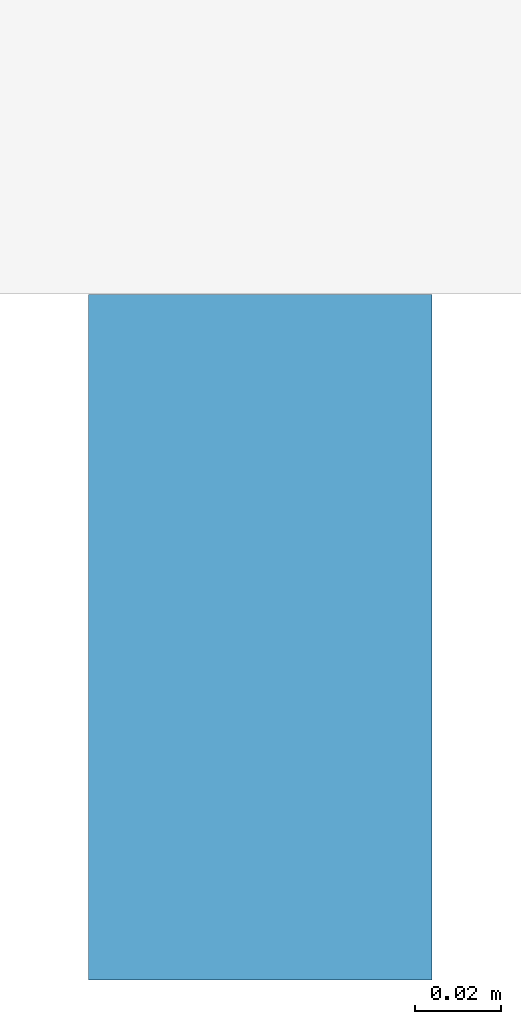
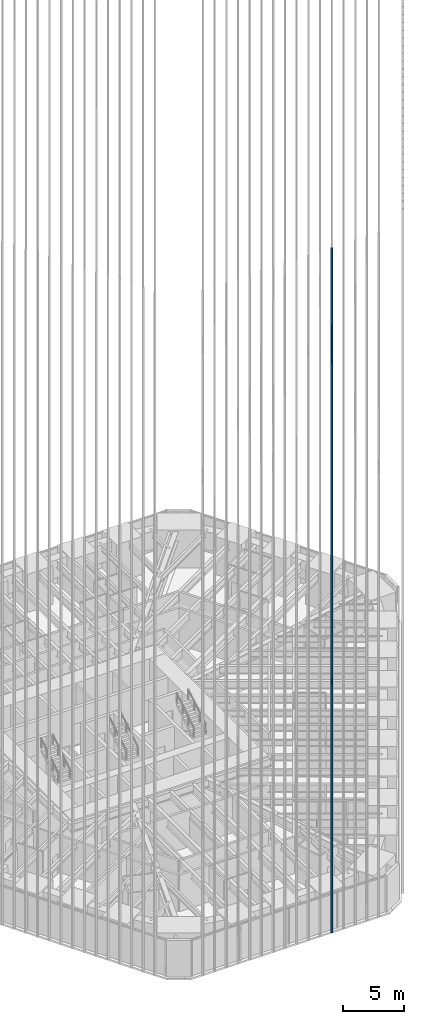
# One storey, part 71 of 256: 1 member, 1 element without a shape of its own.
"""IFC4 building model written with IfcOpenShell, lengths in metres."""

from ifc_helpers import new_model, si_unit, direction, frame, origin, origin_2d, place, context, subcontext, project, spatial, rectangle, extrude, material, material_profile, profile_set, type_object, element, aggregate, save


model = new_model("IFC4")

# Units and contexts
model_context = context("Model", 3, precision=1e-05, world=origin(), true_north=direction((0.0, 1.0)))
body_context = subcontext(model_context, "Body", "Model", "MODEL_VIEW")
ifc_project = project(units=[si_unit("LENGTHUNIT", "METRE"), si_unit("AREAUNIT", "SQUARE_METRE"), si_unit("VOLUMEUNIT", "CUBIC_METRE"), si_unit("PLANEANGLEUNIT", "RADIAN"), si_unit("MASSUNIT", "GRAM", prefix="KILO")], contexts=[model_context])

# Site, building, storey
site_placement = place(None, origin())
site = spatial("IfcSite", under=ifc_project, at=site_placement, CompositionType="ELEMENT")
building_placement = place(site_placement, origin())
building = spatial("IfcBuilding", under=site, at=building_placement, Name="Sandreach Pilgrim Tower", CompositionType="ELEMENT")
storey_placement = place(building_placement, frame((0.0, 0.0, 23.0)))
storey = spatial("IfcBuildingStorey", under=building, at=storey_placement, Name="L04", CompositionType="ELEMENT", Elevation=23.0)

# Curtain wall, member
ifc_material_1 = material(Name="Aluminium framed curtain wall", Category="aluminium")
curtain_wall_type = type_object("IfcCurtainWallType", Name="Hostel tower curtain wall", PredefinedType="NOTDEFINED", material=ifc_material_1)
curtain_wall_placement = place(storey_placement, origin())
curtain_wall = element("IfcCurtainWall", 1, at=curtain_wall_placement, inside=storey, type_object=curtain_wall_type, Name="CW-1 L04 S", PredefinedType="NOTDEFINED")
ifc_material_2 = material(Name="Extruded terracotta on aluminium core", Category="masonry")
ifc_material_profile = material_profile(ifc_material_2, rectangle(XDim=0.080078125, YDim=0.159912109375, at=origin_2d()), Name="TBS 80X160")
ifc_profile_set = profile_set([ifc_material_profile], Name="Extruded terracotta on aluminium core")
member_type = type_object("IfcMemberType", Name="Terracotta baguette south", PredefinedType="USERDEFINED", material=ifc_profile_set)
member_placement = place(storey_placement, frame((3.8671875, -30.390869140625, 0.0), z_axis=(0.0, 0.0, 1.0), x_axis=(-1.0, 0.0, 0.0)))
member = element("IfcMember", 2, at=member_placement, type_object=member_type, Name="Baguette Z1 S05", ObjectType="BAGUETTE", PredefinedType="USERDEFINED", context=body_context, shape_type="SweptSolid", body=[
    extrude(rectangle(XDim=0.080078125, YDim=0.159912109375, at=origin_2d()), origin(), (0.0, 0.0, 1.0), 68.239990234375),
])
aggregate(curtain_wall, [member])

save(model, "model.ifc")
